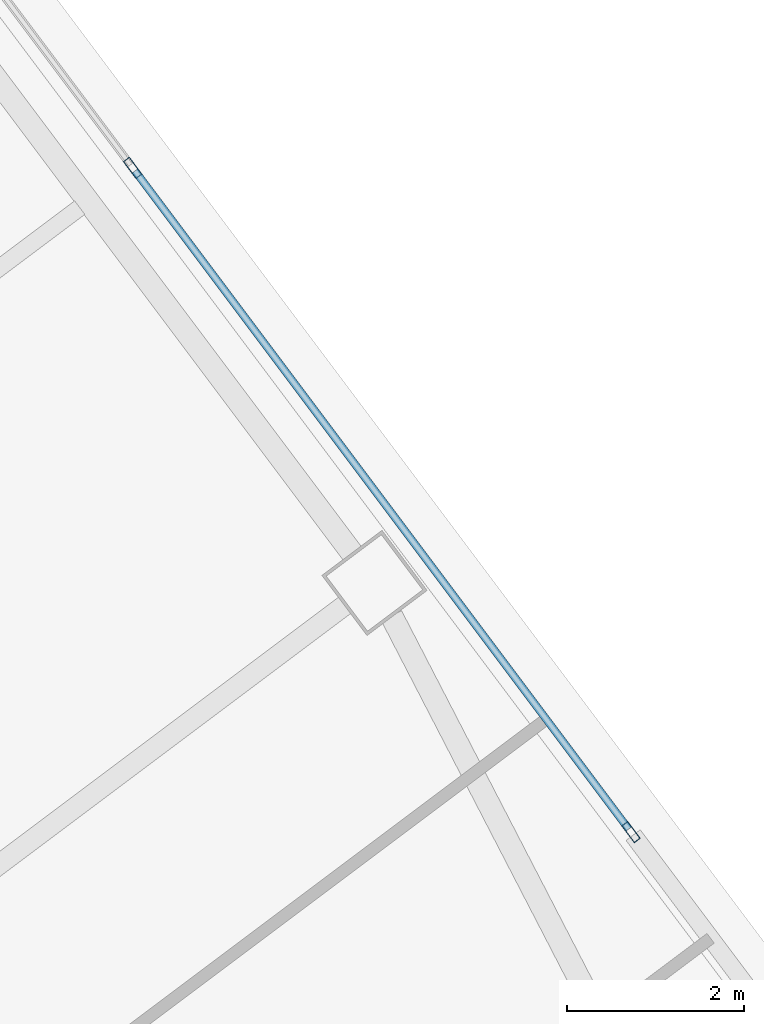
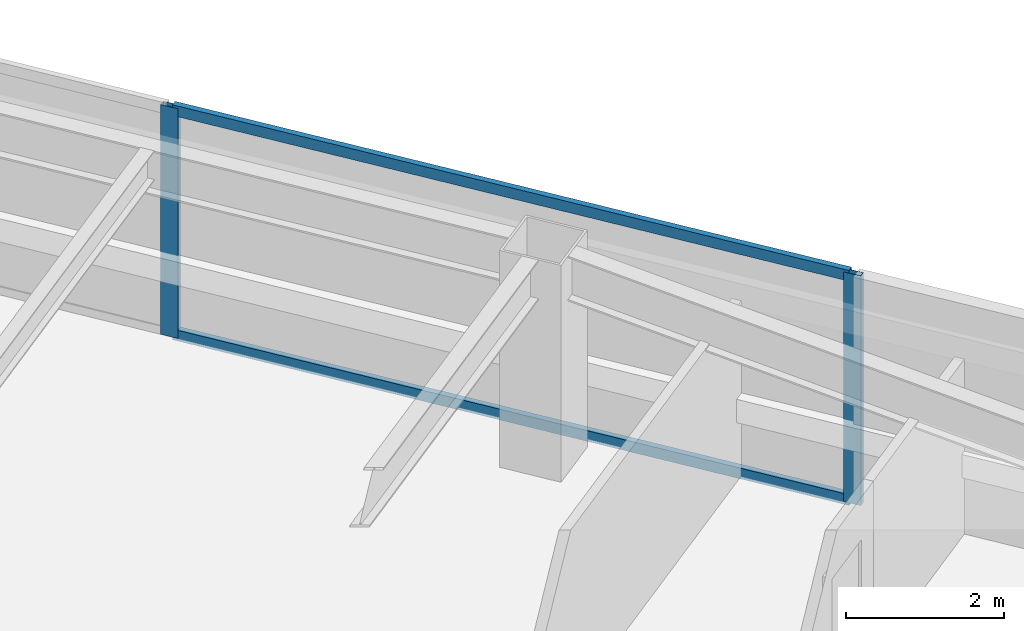
# One storey, part 34 of 48: 4 members, 1 element without a shape of its own.
"""IFC4 building model written with IfcOpenShell, lengths in metres."""

from ifc_helpers import new_model, si_unit, direction, frame, origin, origin_2d, place, context, subcontext, project, spatial, hollow_rectangle, extrude, material, material_profile, profile_set, type_object, element, aggregate, save


model = new_model("IFC4")

# Units and contexts
model_context = context("Model", 3, precision=1e-05, world=origin(), true_north=direction((0.0, 1.0)))
body_context = subcontext(model_context, "Body", "Model", "MODEL_VIEW")
ifc_project = project(units=[si_unit("LENGTHUNIT", "METRE"), si_unit("AREAUNIT", "SQUARE_METRE"), si_unit("VOLUMEUNIT", "CUBIC_METRE"), si_unit("PLANEANGLEUNIT", "RADIAN"), si_unit("MASSUNIT", "GRAM", prefix="KILO")], contexts=[model_context])

# Site, building, storey
site_placement = place(None, origin())
site = spatial("IfcSite", under=ifc_project, at=site_placement, CompositionType="ELEMENT")
building_placement = place(site_placement, origin())
building = spatial("IfcBuilding", under=site, at=building_placement, Name="Tashvorn Skyway Center", CompositionType="ELEMENT")
storey_placement = place(building_placement, frame((0.0, 0.0, 53.0)))
storey = spatial("IfcBuildingStorey", under=building, at=storey_placement, Name="L13", CompositionType="ELEMENT", Elevation=53.0)

# Curtain wall, members
ifc_material = material(Name="Thermally broken bronze-anodized aluminium 6063-T6", Category="aluminium")
curtain_wall_type = type_object("IfcCurtainWallType", Name="CW-CW-Z1", PredefinedType="NOTDEFINED", material=ifc_material)
curtain_wall_placement = place(storey_placement, origin())
curtain_wall = element("IfcCurtainWall", 1, at=curtain_wall_placement, inside=storey, type_object=curtain_wall_type, Name="Tower 2 L13 East Unitised Curtain Wall Glazing Group 2", PredefinedType="NOTDEFINED")
ifc_material_profile_1 = material_profile(ifc_material, hollow_rectangle(XDim=0.0849609375, YDim=0.239990234375, WallThickness=0.0048828125, at=origin_2d()), Name="ALU-MULL-85x240")
ifc_profile_set_1 = profile_set([ifc_material_profile_1], Name="Thermally broken bronze-anodized aluminium 6063-T6")
member_type_1 = type_object("IfcMemberType", Name="CWM-CW-Z1", PredefinedType="MULLION", material=ifc_profile_set_1)
member_1_placement = place(storey_placement, frame((131.343994140625, 45.008056640625, 0.0), z_axis=(0.0, 0.0, 1.0), x_axis=(0.799999999998, 0.600000000002, 0.0)))
member_1 = element("IfcMember", 2, at=member_1_placement, type_object=member_type_1, Name="CW-Z1 mullion 2", PredefinedType="MULLION", context=body_context, shape_type="SweptSolid", body=[
    extrude(hollow_rectangle(XDim=0.0849609375, YDim=0.239990234375, WallThickness=0.0048828125, at=origin_2d()), origin(), (0.0, 0.0, 1.0), 3.550048828125),
])
member_2_placement = place(storey_placement, frame((136.982421875, 37.489990234375, 0.0), z_axis=(0.0, 0.0, 1.0), x_axis=(0.799999999998, 0.600000000002, 0.0)))
member_2 = element("IfcMember", 3, at=member_2_placement, type_object=member_type_1, Name="CW-Z1 mullion 3", PredefinedType="MULLION", context=body_context, shape_type="SweptSolid", body=[
    extrude(hollow_rectangle(XDim=0.0849609375, YDim=0.239990234375, WallThickness=0.0048828125, at=origin_2d()), origin(), (0.0, 0.0, 1.0), 3.550048828125),
])
ifc_material_profile_2 = material_profile(ifc_material, hollow_rectangle(XDim=0.0849609375, YDim=0.1650390625, WallThickness=0.0048828125, at=origin_2d()), Name="ALU-TRAN-85x165")
ifc_profile_set_2 = profile_set([ifc_material_profile_2], Name="Thermally broken bronze-anodized aluminium 6063-T6")
member_type_2 = type_object("IfcMemberType", Name="CWT-CW-Z1", PredefinedType="USERDEFINED", material=ifc_profile_set_2)
member_3_placement = place(storey_placement, frame((131.369384765625, 44.97412109375, 0.04248046875), z_axis=(0.6, -0.8, 0.0), x_axis=(0.8, 0.6, 0.0)))
member_3 = element("IfcMember", 4, at=member_3_placement, type_object=member_type_2, Name="CW-Z1 transom 2.1", ObjectType="TRANSOM", PredefinedType="USERDEFINED", context=body_context, shape_type="SweptSolid", body=[
    extrude(hollow_rectangle(XDim=0.0849609375, YDim=0.1650390625, WallThickness=0.0048828125, at=origin_2d()), origin(), (0.0, 0.0, 1.0), 9.312744140625),
])
member_4_placement = place(storey_placement, frame((131.369384765625, 44.97412109375, 3.507568359375), z_axis=(0.6, -0.8, 0.0), x_axis=(0.8, 0.6, 0.0)))
member_4 = element("IfcMember", 5, at=member_4_placement, type_object=member_type_2, Name="CW-Z1 transom 2.2", ObjectType="TRANSOM", PredefinedType="USERDEFINED", context=body_context, shape_type="SweptSolid", body=[
    extrude(hollow_rectangle(XDim=0.0849609375, YDim=0.1650390625, WallThickness=0.0048828125, at=origin_2d()), origin(), (0.0, 0.0, 1.0), 9.312744140625),
])
aggregate(curtain_wall, [member_1, member_2, member_3, member_4])

save(model, "model.ifc")
